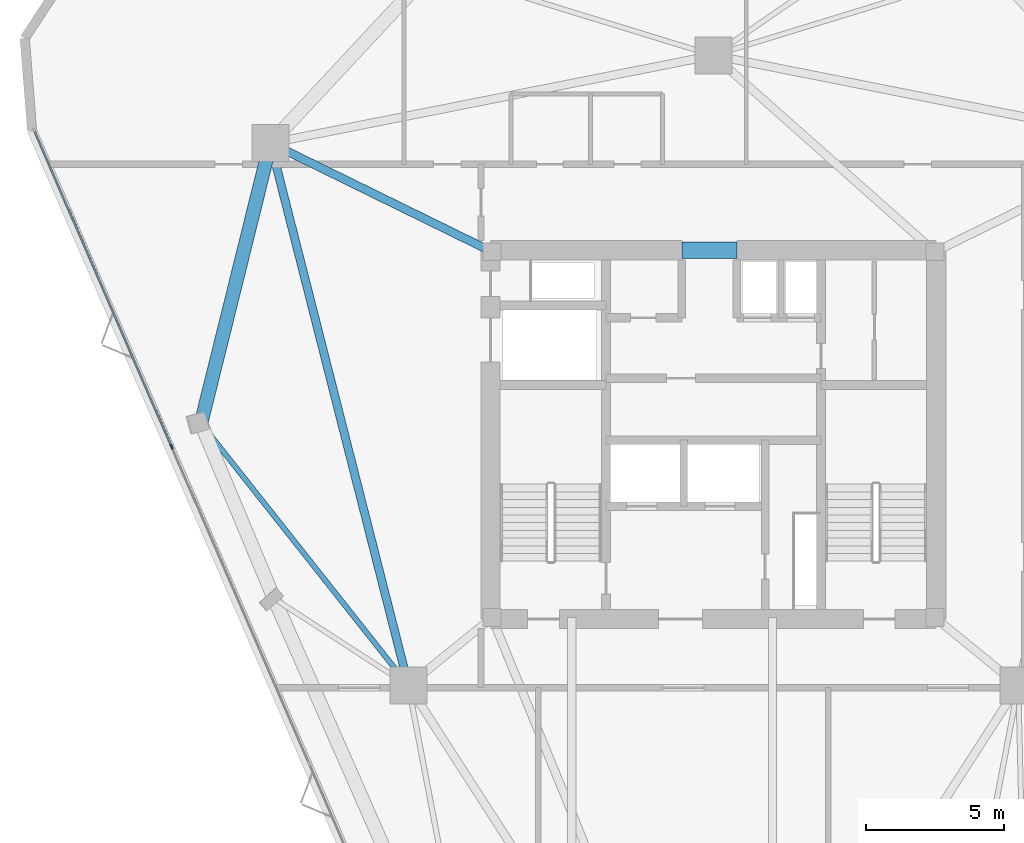
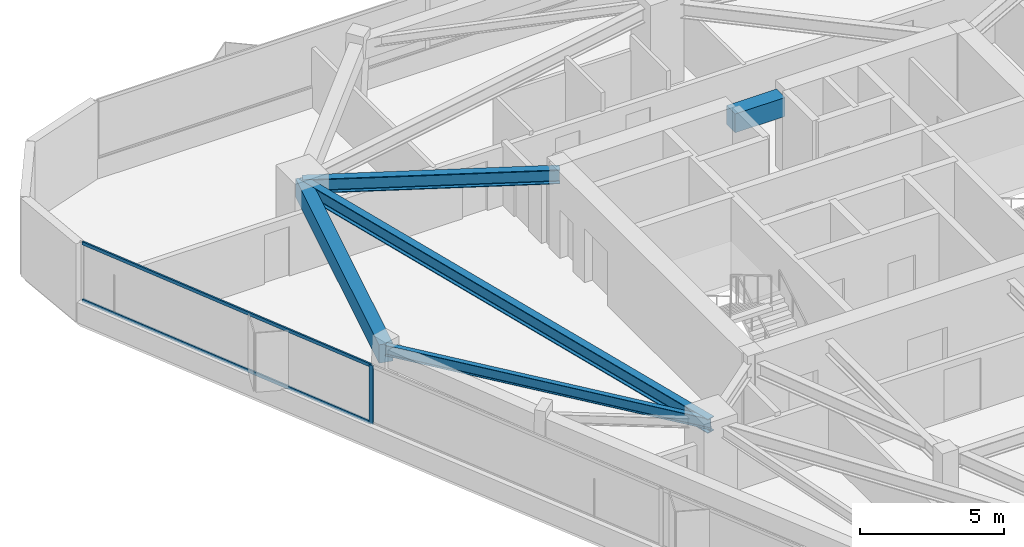
# One storey, part 6 of 12: 5 beams, 3 members, 1 element without a shape of its own.
"""IFC4 building model written with IfcOpenShell, lengths in metres."""

from ifc_helpers import new_model, si_unit, direction, frame, origin, origin_2d, place, context, subcontext, project, spatial, rectangle, i_section, extrude, material, layer, layer_set, material_profile, profile_set, type_object, element, aggregate, save


model = new_model("IFC4")

# Units and contexts
model_context = context("Model", 3, precision=1e-05, world=origin(), true_north=direction((0.0, 1.0)))
body_context = subcontext(model_context, "Body", "Model", "MODEL_VIEW")
ifc_project = project(units=[si_unit("LENGTHUNIT", "METRE"), si_unit("AREAUNIT", "SQUARE_METRE"), si_unit("VOLUMEUNIT", "CUBIC_METRE"), si_unit("PLANEANGLEUNIT", "RADIAN"), si_unit("MASSUNIT", "GRAM", prefix="KILO")], contexts=[model_context])

# Site, building, storey
site_placement = place(None, origin())
site = spatial("IfcSite", under=ifc_project, at=site_placement, CompositionType="ELEMENT")
building_placement = place(site_placement, origin())
building = spatial("IfcBuilding", under=site, at=building_placement, Name="Talyreon Biosciences Tower", CompositionType="ELEMENT")
storey_placement = place(building_placement, frame((0.0, 0.0, 219.550048828125)))
storey = spatial("IfcBuildingStorey", under=building, at=storey_placement, Name="L58", CompositionType="ELEMENT", Elevation=219.550048828125)

# Curtain wall, members
ifc_material_1 = material(Name="Thermally broken aluminium and low-E glazing", Category="aluminium")
ifc_layer = layer(ifc_material_1, 0.179931640625)
ifc_layer_set = layer_set([ifc_layer], Name="Thermally broken aluminium and low-E glazing")
curtain_wall_type = type_object("IfcCurtainWallType", Name="CurtainWall_Zone4Optical", PredefinedType="NOTDEFINED", material=ifc_layer_set)
curtain_wall_placement = place(storey_placement, origin())
curtain_wall = element("IfcCurtainWall", 1, at=curtain_wall_placement, inside=storey, type_object=curtain_wall_type, Name="L58 Unitised Curtain Wall FCW-L58-00", PredefinedType="NOTDEFINED")
ifc_material_2 = material(Name="Anodised thermally broken aluminium", Category="aluminium")
ifc_material_profile_1 = material_profile(ifc_material_2, rectangle(XDim=0.06494140625, YDim=0.179931640625, at=origin_2d()), Name="ALUM MULLION 65x180")
ifc_profile_set_1 = profile_set([ifc_material_profile_1], Name="Anodised thermally broken aluminium")
member_type_1 = type_object("IfcMemberType", Name="CWMullion_65x180", PredefinedType="MULLION", material=ifc_profile_set_1)
member_1_placement = place(storey_placement, frame((46.3037109375, 67.566650390625, 0.81005859375), z_axis=(0.0, 0.0, 1.0), x_axis=(-0.917221993355, -0.398376473835, 0.0)))
member_1 = element("IfcMember", 2, at=member_1_placement, type_object=member_type_1, Name="CW5 mullion 4", PredefinedType="MULLION", context=body_context, shape_type="SweptSolid", body=[
    extrude(rectangle(XDim=0.06494140625, YDim=0.179931640625, at=origin_2d()), origin(), (0.0, 0.0, 1.0), 2.489990234375),
])
ifc_material_profile_2 = material_profile(ifc_material_2, rectangle(XDim=0.06494140625, YDim=0.139892578125, at=origin_2d()), Name="ALUM TRANSOM 65x140")
ifc_profile_set_2 = profile_set([ifc_material_profile_2], Name="Anodised thermally broken aluminium")
member_type_2 = type_object("IfcMemberType", Name="CWTransom_65x140", PredefinedType="USERDEFINED", material=ifc_profile_set_2)
member_2_placement = place(storey_placement, frame((46.290771484375, 67.596435546875, 0.842529296875), z_axis=(-0.398376978135, 0.917221774323, 0.0), x_axis=(-0.917221774323, -0.398376978135, 0.0)))
member_2 = element("IfcMember", 3, at=member_2_placement, type_object=member_type_2, Name="CW5 transom 4.1", ObjectType="TRANSOM", PredefinedType="USERDEFINED", context=body_context, shape_type="SweptSolid", body=[
    extrude(rectangle(XDim=0.06494140625, YDim=0.139892578125, at=origin_2d()), origin(), (0.0, 0.0, 1.0), 12.453369140625),
])
member_3_placement = place(storey_placement, frame((46.290771484375, 67.596435546875, 3.267333984375), z_axis=(-0.398376978135, 0.917221774323, 0.0), x_axis=(-0.917221774323, -0.398376978135, 0.0)))
member_3 = element("IfcMember", 4, at=member_3_placement, type_object=member_type_2, Name="CW5 transom 4.2", ObjectType="TRANSOM", PredefinedType="USERDEFINED", context=body_context, shape_type="SweptSolid", body=[
    extrude(rectangle(XDim=0.06494140625, YDim=0.139892578125, at=origin_2d()), origin(), (0.0, 0.0, 1.0), 12.453369140625),
])
aggregate(curtain_wall, [member_1, member_2, member_3])

# Beams
ifc_material_3 = material(Name="Concrete C50/60", Category="concrete")
ifc_material_profile_3 = material_profile(ifc_material_3, rectangle(XDim=0.60009765625, YDim=0.800048828125, at=origin_2d()), Name="RCB 600x800")
ifc_profile_set_3 = profile_set([ifc_material_profile_3], Name="Concrete C50/60")
beam_type_1 = type_object("IfcBeamType", Name="CoreCouplingLintel_600x800", PredefinedType="LINTEL", material=ifc_profile_set_3)
beam_1_placement = place(storey_placement, frame((64.85009765625, 74.699951171875, 2.89990234375), z_axis=(1.0, 0.0, 0.0), x_axis=(0.0, 1.0, 0.0)))
element("IfcBeam", 5, at=beam_1_placement, inside=storey, type_object=beam_type_1, Name="L58 Core Coupling Lintel", PredefinedType="LINTEL", context=body_context, shape_type="SweptSolid", body=[
    extrude(rectangle(XDim=0.60009765625, YDim=0.800048828125, at=origin_2d()), origin(), (0.0, 0.0, 1.0), 2.0),
])
ifc_material_4 = material(Name="Precast concrete C45/55", Category="concrete")
ifc_material_profile_4 = material_profile(ifc_material_4, rectangle(XDim=0.5, YDim=0.780029296875, at=origin_2d()), Name="RCB 500x780")
ifc_profile_set_4 = profile_set([ifc_material_profile_4], Name="Precast concrete C45/55")
beam_type_2 = type_object("IfcBeamType", Name="ExpressedSpandrel_500x780", PredefinedType="SPANDREL", material=ifc_profile_set_4)
beam_2_placement = place(storey_placement, frame((49.897705078125, 78.5986328125, 2.909912109375), z_axis=(-0.240718005492, -0.970595096748, 0.0), x_axis=(0.970595096748, -0.240718005492, 0.0)))
element("IfcBeam", 6, at=beam_2_placement, inside=storey, type_object=beam_type_2, Name="L58 Expressed Horizontal Concrete Spandrel 09", PredefinedType="SPANDREL", context=body_context, shape_type="SweptSolid", body=[
    extrude(rectangle(XDim=0.5, YDim=0.780029296875, at=origin_2d()), origin(), (0.0, 0.0, 1.0), 10.4951171875),
])
ifc_material_5 = material(Name="Steel SM355", Category="steel")
ifc_material_profile_5 = material_profile(ifc_material_5, i_section(OverallWidth=0.300048828125, OverallDepth=0.60009765625, WebThickness=0.015380859375, FlangeThickness=0.030029296875, FilletRadius=0.027099609375, at=origin_2d()), Name="HE600B")
ifc_profile_set_5 = profile_set([ifc_material_profile_5], Name="Steel SM355")
beam_type_3 = type_object("IfcBeamType", Name="SteelBeam_HE600B", PredefinedType="BEAM", material=ifc_profile_set_5)
beam_3_placement = place(storey_placement, frame((49.897705078125, 78.5986328125, 3.0), z_axis=(0.246537082299, -0.969133358755, 0.0), x_axis=(0.969133358755, 0.246537082299, 0.0)))
element("IfcBeam", 7, at=beam_3_placement, inside=storey, type_object=beam_type_3, Name="L58 Mega-Ring Girder 5", PredefinedType="BEAM", context=body_context, shape_type="SweptSolid", body=[
    extrude(i_section(OverallWidth=0.300048828125, OverallDepth=0.60009765625, WebThickness=0.015380859375, FlangeThickness=0.030029296875, FilletRadius=0.027099609375, at=origin_2d()), origin(), (0.0, 0.0, 1.0), 20.34619140625),
])
beam_4_placement = place(storey_placement, frame((57.949951171875, 74.64990234375, 3.0), z_axis=(-0.897852360314, 0.440296648952, 0.0), x_axis=(-0.440296648952, -0.897852360314, 0.0)))
element("IfcBeam", 8, at=beam_4_placement, inside=storey, type_object=beam_type_3, Name="L58 Radial Primary Girder 5", PredefinedType="BEAM", context=body_context, shape_type="SweptSolid", body=[
    extrude(i_section(OverallWidth=0.300048828125, OverallDepth=0.60009765625, WebThickness=0.015380859375, FlangeThickness=0.030029296875, FilletRadius=0.027099609375, at=origin_2d()), origin(), (0.0, 0.0, 1.0), 8.96826171875),
])
ifc_material_profile_6 = material_profile(ifc_material_5, i_section(OverallWidth=0.18994140625, OverallDepth=0.449951171875, WebThickness=0.009521484375, FlangeThickness=0.0146484375, FilletRadius=0.02099609375, at=origin_2d()), Name="IPE450")
ifc_profile_set_6 = profile_set([ifc_material_profile_6], Name="Steel SM355")
beam_type_4 = type_object("IfcBeamType", Name="SteelJoist_IPE450", PredefinedType="JOIST", material=ifc_profile_set_6)
beam_5_placement = place(storey_placement, frame((54.913818359375, 58.88037109375, 3.074951171875), z_axis=(-0.620526980757, 0.78418509687, 0.0), x_axis=(-0.78418509687, -0.620526980757, 0.0)))
element("IfcBeam", 9, at=beam_5_placement, inside=storey, type_object=beam_type_4, Name="L58 Radial Composite Floor Joist PC-SW1", PredefinedType="JOIST", context=body_context, shape_type="SweptSolid", body=[
    extrude(i_section(OverallWidth=0.18994140625, OverallDepth=0.449951171875, WebThickness=0.009521484375, FlangeThickness=0.0146484375, FilletRadius=0.02099609375, at=origin_2d()), origin(), (0.0, 0.0, 1.0), 12.155029296875),
])

save(model, "model.ifc")
